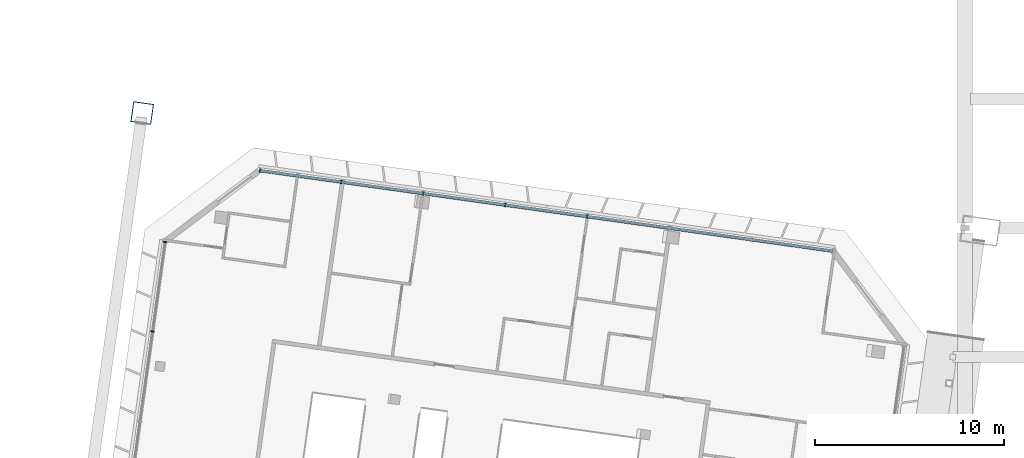
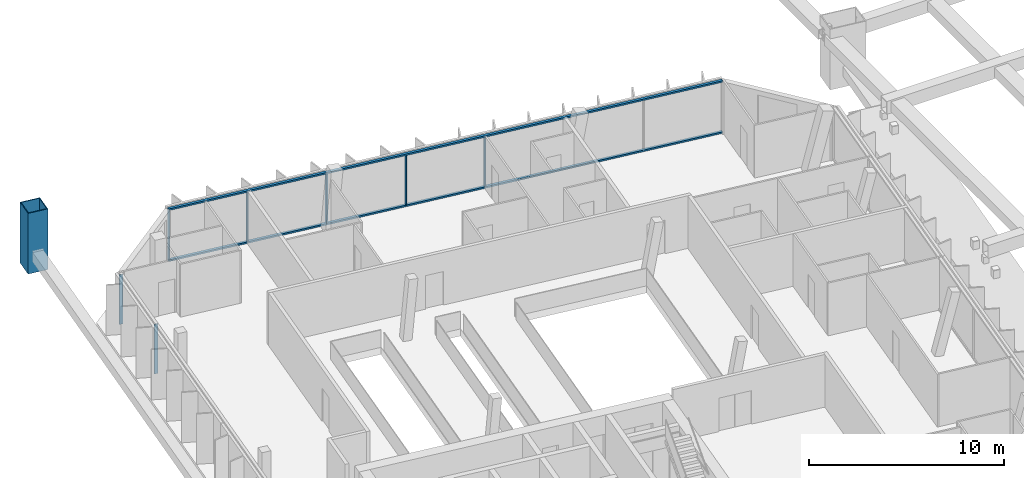
# One storey, part 9 of 36: 10 members, 2 elements without a shape of their own.
"""IFC4 building model written with IfcOpenShell, lengths in metres."""

from ifc_helpers import new_model, si_unit, direction, frame, origin, origin_2d, place, context, subcontext, project, spatial, rectangle, hollow_rectangle, extrude, material, material_profile, profile_set, type_object, element, aggregate, save


model = new_model("IFC4")

# Units and contexts
model_context = context("Model", 3, precision=1e-05, world=origin(), true_north=direction((0.0, 1.0)))
body_context = subcontext(model_context, "Body", "Model", "MODEL_VIEW")
ifc_project = project(units=[si_unit("LENGTHUNIT", "METRE"), si_unit("AREAUNIT", "SQUARE_METRE"), si_unit("VOLUMEUNIT", "CUBIC_METRE"), si_unit("PLANEANGLEUNIT", "RADIAN"), si_unit("MASSUNIT", "GRAM", prefix="KILO")], contexts=[model_context])

# Site, building, storey
site_placement = place(None, origin())
site = spatial("IfcSite", under=ifc_project, at=site_placement, CompositionType="ELEMENT")
building_placement = place(site_placement, origin())
building = spatial("IfcBuilding", under=site, at=building_placement, Name="Mirante Cascada Hotel Towers", CompositionType="ELEMENT")
storey_placement = place(building_placement, frame((0.0, 0.0, 254.6)))
storey = spatial("IfcBuildingStorey", under=building, at=storey_placement, Name="L61", CompositionType="ELEMENT", Elevation=254.6)

# Member
ifc_material_1 = material(Name="Steel ASTM A572 Gr 50", Category="steel")
ifc_material_profile_1 = material_profile(ifc_material_1, hollow_rectangle(XDim=1.1, YDim=1.1, WallThickness=0.05, at=origin_2d()), Name="Box post 1100x1100x50 ASTM A572 Gr 50")
ifc_profile_set_1 = profile_set([ifc_material_profile_1], Name="Steel ASTM A572 Gr 50")
member_type_1 = type_object("IfcMemberType", Name="Box post 1100x1100x50 ASTM A572 Gr 50", PredefinedType="POST", material=ifc_profile_set_1)
member_1_placement = place(storey_placement, frame((-55.7951, 22.8316, 0.0), z_axis=(0.0, 0.0, 1.0), x_axis=(-0.9902681, 0.1391731, 0.0)))
element("IfcMember", 1, at=member_1_placement, inside=storey, type_object=member_type_1, Name="Mega column MP3 T1 L61", PredefinedType="POST", context=body_context, shape_type="SweptSolid", body=[
    extrude(hollow_rectangle(XDim=1.1, YDim=1.1, WallThickness=0.05, at=origin_2d()), origin(), (0.0, 0.0, 1.0), 3.8),
])

# Curtain wall, members
ifc_material_2 = material(Name="Aluminium mullion and transom frame with clear laminated glass", Category="aluminium")
curtain_wall_type_1 = type_object("IfcCurtainWallType", Name="Ribbon curtain wall ECW1", PredefinedType="NOTDEFINED", material=ifc_material_2)
curtain_wall_1_placement = place(storey_placement, origin())
curtain_wall_1 = element("IfcCurtainWall", 2, at=curtain_wall_1_placement, inside=storey, type_object=curtain_wall_type_1, Name="Front ribbon wall T1 L61", PredefinedType="NOTDEFINED")
ifc_material_3 = material(Name="Anodised aluminium extrusion", Category="aluminium")
ifc_material_profile_2 = material_profile(ifc_material_3, rectangle(XDim=0.2, YDim=0.065, at=origin_2d()), Name="ECW1 MULLION 65x200")
ifc_profile_set_2 = profile_set([ifc_material_profile_2], Name="Anodised aluminium extrusion")
member_type_2 = type_object("IfcMemberType", Name="ECW1 mullion 65x200", PredefinedType="MULLION", material=ifc_profile_set_2)
member_2_placement = place(storey_placement, frame((-49.5639, 19.7848, 0.1), z_axis=(0.0, 0.0, 1.0), x_axis=(0.1391731, 0.9902681, 0.0)))
member_2 = element("IfcMember", 3, at=member_2_placement, type_object=member_type_2, Name="ECW1 mullion 1", PredefinedType="MULLION", context=body_context, shape_type="SweptSolid", body=[
    extrude(rectangle(XDim=0.2, YDim=0.065, at=origin_2d()), origin(), (0.0, 0.0, 1.0), 3.1),
])
member_3_placement = place(storey_placement, frame((-45.2582, 19.1797, 0.1), z_axis=(0.0, 0.0, 1.0), x_axis=(0.1391731, 0.9902681, 0.0)))
member_3 = element("IfcMember", 4, at=member_3_placement, type_object=member_type_2, Name="ECW1 mullion 2", PredefinedType="MULLION", context=body_context, shape_type="SweptSolid", body=[
    extrude(rectangle(XDim=0.2, YDim=0.065, at=origin_2d()), origin(), (0.0, 0.0, 1.0), 3.1),
])
member_4_placement = place(storey_placement, frame((-40.9203, 18.57, 0.1), z_axis=(0.0, 0.0, 1.0), x_axis=(0.1391731, 0.9902681, 0.0)))
member_4 = element("IfcMember", 5, at=member_4_placement, type_object=member_type_2, Name="ECW1 mullion 3", PredefinedType="MULLION", context=body_context, shape_type="SweptSolid", body=[
    extrude(rectangle(XDim=0.2, YDim=0.065, at=origin_2d()), origin(), (0.0, 0.0, 1.0), 3.1),
])
member_5_placement = place(storey_placement, frame((-36.5824, 17.9604, 0.1), z_axis=(0.0, 0.0, 1.0), x_axis=(0.1391731, 0.9902681, 0.0)))
member_5 = element("IfcMember", 6, at=member_5_placement, type_object=member_type_2, Name="ECW1 mullion 4", PredefinedType="MULLION", context=body_context, shape_type="SweptSolid", body=[
    extrude(rectangle(XDim=0.2, YDim=0.065, at=origin_2d()), origin(), (0.0, 0.0, 1.0), 3.1),
])
member_6_placement = place(storey_placement, frame((-32.2446, 17.3507, 0.1), z_axis=(0.0, 0.0, 1.0), x_axis=(0.1391731, 0.9902681, 0.0)))
member_6 = element("IfcMember", 7, at=member_6_placement, type_object=member_type_2, Name="ECW1 mullion 5", PredefinedType="MULLION", context=body_context, shape_type="SweptSolid", body=[
    extrude(rectangle(XDim=0.2, YDim=0.065, at=origin_2d()), origin(), (0.0, 0.0, 1.0), 3.1),
])
ifc_material_4 = material(Name="Anodised aluminium extrusion", Category="aluminium")
ifc_material_profile_3 = material_profile(ifc_material_4, rectangle(XDim=0.16, YDim=0.1, at=origin_2d()), Name="ECW1 TRANSOM 100x160")
ifc_profile_set_3 = profile_set([ifc_material_profile_3], Name="Anodised aluminium extrusion")
member_type_3 = type_object("IfcMemberType", Name="ECW1 transom 100x160", PredefinedType="USERDEFINED", material=ifc_profile_set_3)
member_7_placement = place(storey_placement, frame((-49.5961, 19.7893, 0.05), z_axis=(0.9902683, -0.1391715, 0.0), x_axis=(0.1391715, 0.9902683, 0.0)))
member_7 = element("IfcMember", 8, at=member_7_placement, type_object=member_type_3, Name="ECW1 sill transom", ObjectType="TRANSOM", PredefinedType="USERDEFINED", context=body_context, shape_type="SweptSolid", body=[
    extrude(rectangle(XDim=0.16, YDim=0.1, at=origin_2d()), origin(), (0.0, 0.0, 1.0), 30.6636),
])
member_8_placement = place(storey_placement, frame((-49.5961, 19.7893, 3.25), z_axis=(0.9902683, -0.1391715, 0.0), x_axis=(0.1391715, 0.9902683, 0.0)))
member_8 = element("IfcMember", 9, at=member_8_placement, type_object=member_type_3, Name="ECW1 head transom", ObjectType="TRANSOM", PredefinedType="USERDEFINED", context=body_context, shape_type="SweptSolid", body=[
    extrude(rectangle(XDim=0.16, YDim=0.1, at=origin_2d()), origin(), (0.0, 0.0, 1.0), 30.6636),
])
aggregate(curtain_wall_1, [member_7, member_8, member_2, member_3, member_4, member_5, member_6])

ifc_material_5 = material(Name="Aluminium mullion and transom frame with clear laminated glass", Category="aluminium")
curtain_wall_type_2 = type_object("IfcCurtainWallType", Name="End ribbon curtain wall ECW2", PredefinedType="NOTDEFINED", material=ifc_material_5)
curtain_wall_2_placement = place(storey_placement, origin())
curtain_wall_2 = element("IfcCurtainWall", 10, at=curtain_wall_2_placement, inside=storey, type_object=curtain_wall_type_2, Name="Outer end wall T1 L61", PredefinedType="NOTDEFINED")
ifc_material_6 = material(Name="Anodised aluminium extrusion", Category="aluminium")
ifc_material_profile_4 = material_profile(ifc_material_6, rectangle(XDim=0.2, YDim=0.065, at=origin_2d()), Name="ECW2 MULLION 65x200")
ifc_profile_set_4 = profile_set([ifc_material_profile_4], Name="Anodised aluminium extrusion")
member_type_4 = type_object("IfcMemberType", Name="ECW2 mullion 65x200", PredefinedType="MULLION", material=ifc_profile_set_4)
member_9_placement = place(storey_placement, frame((-55.2491, 11.2684, 0.1), z_axis=(0.0, 0.0, 1.0), x_axis=(-0.9902681, 0.1391731, 0.0)))
member_9 = element("IfcMember", 11, at=member_9_placement, type_object=member_type_4, Name="ECW2 mullion 6", PredefinedType="MULLION", context=body_context, shape_type="SweptSolid", body=[
    extrude(rectangle(XDim=0.2, YDim=0.065, at=origin_2d()), origin(), (0.0, 0.0, 1.0), 3.1),
])
member_10_placement = place(storey_placement, frame((-54.5839, 16.002, 0.1), z_axis=(0.0, 0.0, 1.0), x_axis=(-0.9902681, 0.1391731, 0.0)))
member_10 = element("IfcMember", 12, at=member_10_placement, type_object=member_type_4, Name="ECW2 mullion 7", PredefinedType="MULLION", context=body_context, shape_type="SweptSolid", body=[
    extrude(rectangle(XDim=0.2, YDim=0.065, at=origin_2d()), origin(), (0.0, 0.0, 1.0), 3.1),
])
aggregate(curtain_wall_2, [member_9, member_10])

save(model, "model.ifc")
